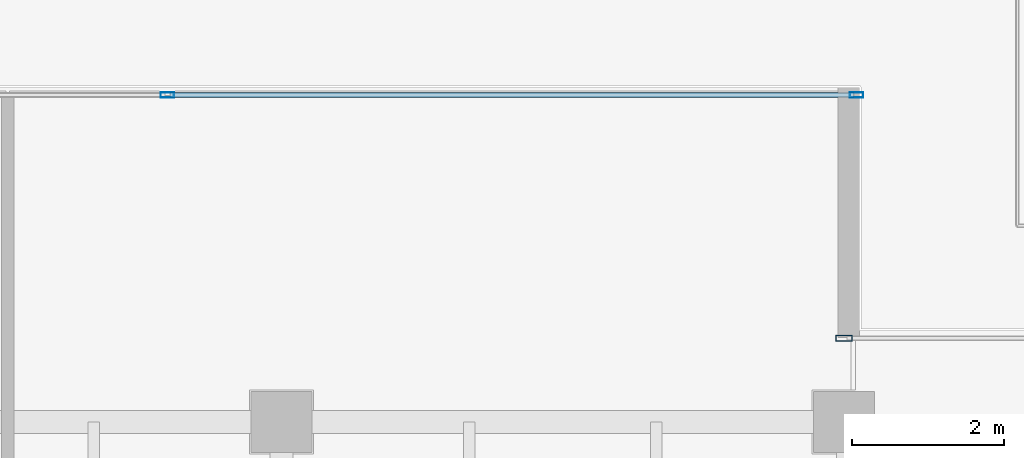
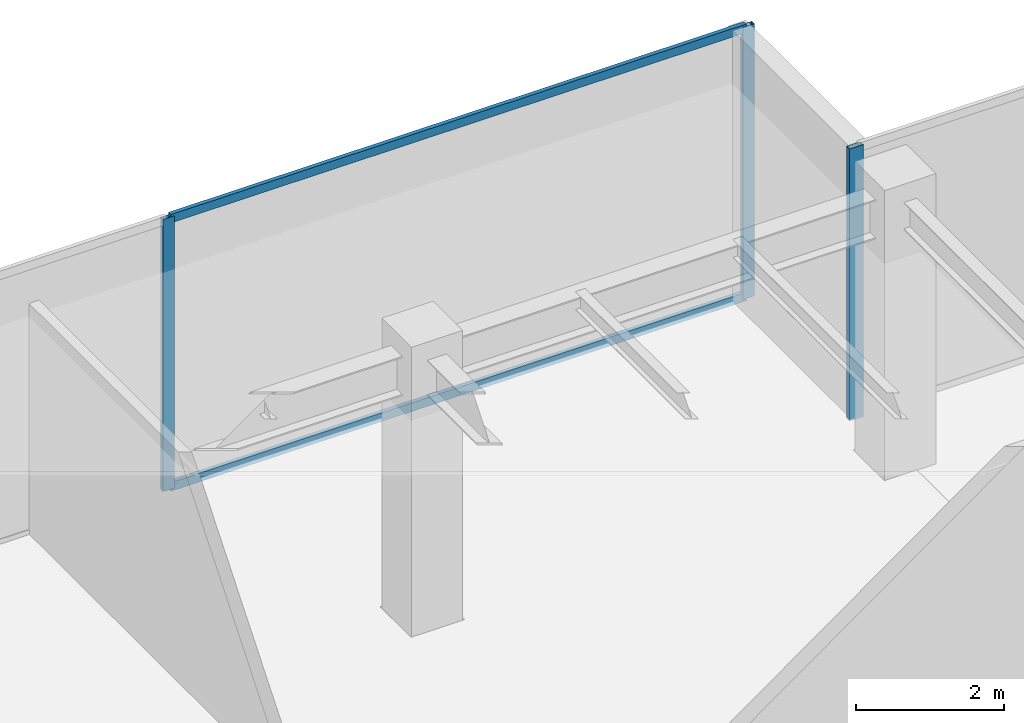
# One storey, part 21 of 37: 5 members, 2 elements without a shape of their own.
"""IFC4 building model written with IfcOpenShell, lengths in metres."""

from ifc_helpers import new_model, si_unit, direction, frame, origin, origin_2d, place, context, subcontext, project, spatial, hollow_rectangle, extrude, source, transform, mapped, material, layer, layer_set, material_profile, profile_set, type_object, type_shapes, element, aggregate, save


model = new_model("IFC4")

# Units and contexts
model_context = context("Model", 3, precision=1e-05, world=origin(), true_north=direction((0.0, 1.0)))
body_context = subcontext(model_context, "Body", "Model", "MODEL_VIEW")
ifc_project = project(units=[si_unit("LENGTHUNIT", "METRE"), si_unit("AREAUNIT", "SQUARE_METRE"), si_unit("VOLUMEUNIT", "CUBIC_METRE"), si_unit("PLANEANGLEUNIT", "RADIAN"), si_unit("MASSUNIT", "GRAM", prefix="KILO")], contexts=[model_context])

# Site, building, storey
site_placement = place(None, origin())
site = spatial("IfcSite", under=ifc_project, at=site_placement, CompositionType="ELEMENT")
building_placement = place(site_placement, origin())
building = spatial("IfcBuilding", under=site, at=building_placement, Name="Haelvirn Gate Laboratories", CompositionType="ELEMENT")
storey_placement = place(building_placement, frame((0.0, 0.0, 196.60009765625)))
storey = spatial("IfcBuildingStorey", under=building, at=storey_placement, Name="L47", CompositionType="ELEMENT", Elevation=196.60009765625)

# Curtain wall, members
ifc_material_1 = material(Name="Anodised bronze unitised aluminium & triple low-E glass", Category="aluminium")
ifc_layer_1 = layer(ifc_material_1, 0.176025390625, Name="CW-SYS-4")
ifc_layer_set_1 = layer_set([ifc_layer_1], Name="Anodised bronze unitised aluminium & triple low-E glass")
curtain_wall_type_1 = type_object("IfcCurtainWallType", Name="CW-SYS-4", PredefinedType="NOTDEFINED", material=ifc_layer_set_1)
curtain_wall_1_placement = place(storey_placement, origin())
curtain_wall_1 = element("IfcCurtainWall", 1, at=curtain_wall_1_placement, inside=storey, type_object=curtain_wall_type_1, Name="L47 Unitised Curtain Wall CW-L47-P0-E10-1", PredefinedType="NOTDEFINED")
ifc_material_2 = material(Name="Extruded aluminium 6063-T6 (anodised bronze)", Category="aluminium")
ifc_material_profile_1 = material_profile(ifc_material_2, hollow_rectangle(XDim=0.070068359375, YDim=0.179931640625, WallThickness=0.0048828125, at=origin_2d()), Name="CWM-180x70x5")
ifc_profile_set_1 = profile_set([ifc_material_profile_1], Name="Extruded aluminium 6063-T6 (anodised bronze)")
member_type_1 = type_object("IfcMemberType", Name="CWM-T180", PredefinedType="MULLION", material=ifc_profile_set_1)
shared_shape_1 = source(origin(), body_context, "Body", "SweptSolid", [
    extrude(hollow_rectangle(XDim=0.070068359375, YDim=0.179931640625, WallThickness=0.0048828125, at=origin_2d()), origin(), (0.0, 0.0, 1.0), 4.5),
])
type_shapes(member_type_1, [shared_shape_1])
member_1_placement = place(storey_placement, frame((58.5, 45.89990234375, 0.0), z_axis=(0.0, 0.0, 1.0), x_axis=(0.0, 1.0, 0.0)))
member_1 = element("IfcMember", 2, at=member_1_placement, type_object=member_type_1, Name="CW4 mullion 2", PredefinedType="MULLION", context=body_context, shape_type="MappedRepresentation", body=[
    mapped(shared_shape_1, transform((0.0, 0.0, 0.0), scale=1.0)),
])
member_2_placement = place(storey_placement, frame((67.56494140625, 45.89990234375, 0.0), z_axis=(0.0, 0.0, 1.0), x_axis=(0.0, 1.0, 0.0)))
member_2 = element("IfcMember", 3, at=member_2_placement, type_object=member_type_1, Name="CW4 mullion 3", PredefinedType="MULLION", context=body_context, shape_type="MappedRepresentation", body=[
    mapped(shared_shape_1, transform((0.0, 0.0, 0.0), scale=1.0)),
])
ifc_material_profile_2 = material_profile(ifc_material_2, hollow_rectangle(XDim=0.06494140625, YDim=0.139892578125, WallThickness=0.00390625, at=origin_2d()), Name="CWT-140x65x4")
ifc_profile_set_2 = profile_set([ifc_material_profile_2], Name="Extruded aluminium 6063-T6 (anodised bronze)")
member_type_2 = type_object("IfcMemberType", Name="CWT-T140", PredefinedType="USERDEFINED", material=ifc_profile_set_2)
shared_shape_2 = source(origin(), body_context, "Body", "SweptSolid", [
    extrude(hollow_rectangle(XDim=0.06494140625, YDim=0.139892578125, WallThickness=0.00390625, at=origin_2d()), origin(), (0.0, 0.0, 1.0), 8.9951171875),
])
type_shapes(member_type_2, [shared_shape_2])
member_3_placement = place(storey_placement, frame((58.534912109375, 45.89990234375, 0.032470703125), z_axis=(1.0, 0.0, 0.0), x_axis=(0.0, 1.0, 0.0)))
member_3 = element("IfcMember", 4, at=member_3_placement, type_object=member_type_2, Name="CW4 transom 2.1", ObjectType="TRANSOM", PredefinedType="USERDEFINED", context=body_context, shape_type="MappedRepresentation", body=[
    mapped(shared_shape_2, transform((0.0, 0.0, 0.0), scale=1.0)),
])
member_4_placement = place(storey_placement, frame((58.534912109375, 45.89990234375, 4.46728515625), z_axis=(1.0, 0.0, 0.0), x_axis=(0.0, 1.0, 0.0)))
member_4 = element("IfcMember", 5, at=member_4_placement, type_object=member_type_2, Name="CW4 transom 2.2", ObjectType="TRANSOM", PredefinedType="USERDEFINED", context=body_context, shape_type="MappedRepresentation", body=[
    mapped(shared_shape_2, transform((0.0, 0.0, 0.0), scale=1.0)),
])
aggregate(curtain_wall_1, [member_1, member_2, member_3, member_4])

# Curtain wall, member
ifc_layer_2 = layer(ifc_material_1, 0.181884765625, Name="CW-SYS-5")
ifc_layer_set_2 = layer_set([ifc_layer_2], Name="Anodised bronze unitised aluminium & triple low-E glass")
curtain_wall_type_2 = type_object("IfcCurtainWallType", Name="CW-SYS-5", PredefinedType="NOTDEFINED", material=ifc_layer_set_2)
curtain_wall_2_placement = place(storey_placement, origin())
curtain_wall_2 = element("IfcCurtainWall", 6, at=curtain_wall_2_placement, inside=storey, type_object=curtain_wall_type_2, Name="L47 Unitised Curtain Wall CW-L47-P0-E08-1", PredefinedType="NOTDEFINED")
ifc_material_profile_3 = material_profile(ifc_material_2, hollow_rectangle(XDim=0.080078125, YDim=0.219970703125, WallThickness=0.006103515625, at=origin_2d()), Name="CWM-220x80x6")
ifc_profile_set_3 = profile_set([ifc_material_profile_3], Name="Extruded aluminium 6063-T6 (anodised bronze)")
member_type_3 = type_object("IfcMemberType", Name="CWM-T220", PredefinedType="MULLION", material=ifc_profile_set_3)
shared_shape_3 = source(origin(), body_context, "Body", "SweptSolid", [
    extrude(hollow_rectangle(XDim=0.080078125, YDim=0.219970703125, WallThickness=0.006103515625, at=origin_2d()), origin(), (0.0, 0.0, 1.0), 4.5),
])
type_shapes(member_type_3, [shared_shape_3])
member_5_placement = place(storey_placement, frame((67.39990234375, 42.699951171875, 0.0), z_axis=(0.0, 0.0, 1.0), x_axis=(0.0, 1.0, 0.0)))
member_5 = element("IfcMember", 7, at=member_5_placement, type_object=member_type_3, Name="CW5 mullion 1", PredefinedType="MULLION", context=body_context, shape_type="MappedRepresentation", body=[
    mapped(shared_shape_3, transform((0.0, 0.0, 0.0), scale=1.0)),
])
aggregate(curtain_wall_2, [member_5])

save(model, "model.ifc")
